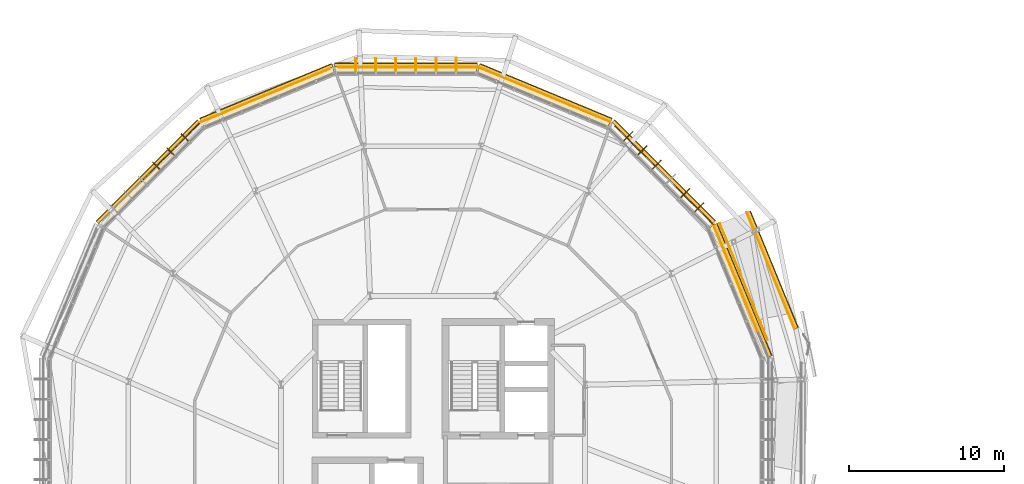
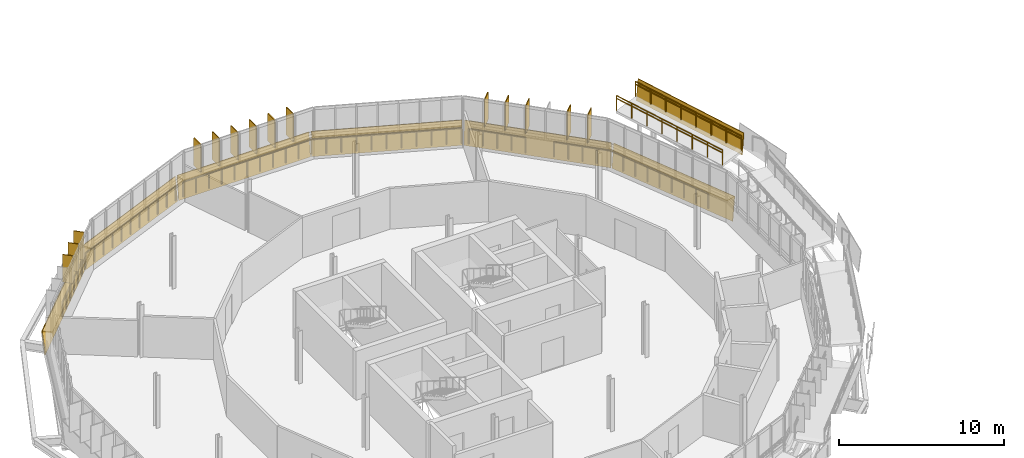
# One storey, part 36 of 38: 30 railings, 14 shading devices, 12 coverings.
"""IFC4 building model written with IfcOpenShell, lengths in metres."""

from ifc_helpers import new_model, si_unit, derived_unit, direction, frame, origin, origin_2d, place, context, subcontext, project, spatial, polyline, rectangle, circle, outline, extrude, material, layer, layer_set, type_object, element, save


model = new_model("IFC4")

# Units and contexts
model_context = context("Model", 3, precision=1e-05, world=origin(), true_north=direction((0.0, 1.0)))
body_context = subcontext(model_context, "Body", "Model", "MODEL_VIEW")
ifc_project = project(units=[si_unit("LENGTHUNIT", "METRE"), si_unit("AREAUNIT", "SQUARE_METRE"), si_unit("VOLUMEUNIT", "CUBIC_METRE"), si_unit("PLANEANGLEUNIT", "RADIAN"), si_unit("MASSUNIT", "GRAM", prefix="KILO"), derived_unit("THERMALTRANSMITTANCEUNIT", [(si_unit("MASSUNIT", "GRAM", prefix="KILO"), 1), (si_unit("TIMEUNIT", "SECOND"), -3), (si_unit("THERMODYNAMICTEMPERATUREUNIT", "KELVIN"), -1)])], contexts=[model_context])

# Site, building, storey
site_placement = place(None, origin())
site = spatial("IfcSite", under=ifc_project, at=site_placement, CompositionType="ELEMENT")
building_placement = place(site_placement, origin())
building = spatial("IfcBuilding", under=site, at=building_placement, Name="Makaiwela Harbour Ferry Terminal", CompositionType="ELEMENT")
storey_placement = place(building_placement, frame((0.0, 0.0, 17.699951171875)))
storey = spatial("IfcBuildingStorey", under=building, at=storey_placement, Name="L04", CompositionType="ELEMENT", Elevation=17.699951171875)

# Coverings
ifc_material_1 = material(Name="White glazed marine ceramic rainscreen tile", Category="masonry")
ifc_layer_1 = layer(ifc_material_1, 0.054931640625)
ifc_layer_set_1 = layer_set([ifc_layer_1], Name="White glazed marine ceramic rainscreen tile")
covering_type = type_object("IfcCoveringType", Name="ENV-CLD-CERAMIC", PredefinedType="CLADDING", material=ifc_layer_set_1)
covering_1_placement = place(storey_placement, frame((59.424560546875, 73.458984375, -0.219970703125), z_axis=(-0.918361147937, -0.380386118647, 0.109175101102), x_axis=(-0.382673536857, 0.923883631303, 0.0)))
element("IfcCovering", 1, at=covering_1_placement, inside=storey, type_object=covering_type, Name="Ceramic Spandrel Facet CLD-0095", PredefinedType="CLADDING", context=body_context, shape_type="SweptSolid", body=[
    extrude(outline(polyline([(0.0, 0.0), (9.225925594767027, 0.0), (9.22604574179916, -1.7504535114288637), (0.00012014703213264477, -1.7504535114288637), (0.0, 0.0)])), origin(), (0.0, 0.0, -1.0), 0.054931640625),
])
covering_2_placement = place(storey_placement, frame((0.0, 0.0, 1.47998046875)))
element("IfcCovering", 2, at=covering_2_placement, inside=storey, type_object=covering_type, Name="Ceramic Ring Sill Cap CLD-0096", PredefinedType="CLADDING", context=body_context, shape_type="SweptSolid", body=[
    extrude(outline(polyline([(59.60107421875, 73.5322265625), (56.070556640625, 82.055908203125), (55.517822265625, 81.74267578125), (58.989013671875, 73.36279296875), (59.60107421875, 73.5322265625)])), origin(), (0.0, 0.0, 1.0), 0.05517578125),
])
covering_3_placement = place(storey_placement, frame((55.850830078125, 82.04736328125, -0.219970703125), z_axis=(-0.702880103267, -0.702880103267, 0.109174726297), x_axis=(-0.707106781187, 0.707106781187, 0.0)))
element("IfcCovering", 3, at=covering_3_placement, inside=storey, type_object=covering_type, Name="Ceramic Spandrel Facet CLD-0097", PredefinedType="CLADDING", context=body_context, shape_type="SweptSolid", body=[
    extrude(outline(polyline([(0.0, 0.0), (9.225533785793237, 0.0), (9.225706419284737, -1.7504534389374788), (-0.00017263349150062335, -1.7504534389374788), (0.0, 0.0)])), origin(), (0.0, 0.0, -1.0), 0.054931640625),
])
covering_4_placement = place(storey_placement, frame((49.2626953125, 88.614013671875, -0.219970703125), z_axis=(-0.38039187671, -0.918361897216, 0.109148732814), x_axis=(-0.923881716783, 0.382678159024, -5.49351e-07)))
element("IfcCovering", 4, at=covering_4_placement, inside=storey, type_object=covering_type, Name="Ceramic Spandrel Facet CLD-0099", PredefinedType="CLADDING", context=body_context, shape_type="SweptSolid", body=[
    extrude(outline(polyline([(0.0, 0.0), (9.225925594650173, 0.0), (9.225805447851746, -1.7504535108129913), (0.00010541026133478123, -1.750443313466402), (0.0, 0.0)])), origin(), (0.0, 0.0, -1.0), 0.054931640625),
])
covering_5_placement = place(storey_placement, frame((0.0, 0.0, 1.47998046875)))
element("IfcCovering", 5, at=covering_5_placement, inside=storey, type_object=covering_type, Name="Ceramic Ring Sill Cap CLD-0100", PredefinedType="CLADDING", context=body_context, shape_type="SweptSolid", body=[
    extrude(outline(polyline([(49.335693359375, 88.79052734375), (40.812255859375, 92.321044921875), (40.642822265625, 91.708984375), (49.022705078125, 88.23779296875), (49.335693359375, 88.79052734375)])), origin(), (0.0, 0.0, 1.0), 0.05517578125),
])
covering_6_placement = place(storey_placement, frame((40.662841796875, 92.15966796875, -0.219970703125), z_axis=(0.0, -0.99403418163, 0.109068995375), x_axis=(-1.0, 0.0, 0.0)))
element("IfcCovering", 6, at=covering_6_placement, inside=storey, type_object=covering_type, Name="Ceramic Spandrel Facet CLD-0101", PredefinedType="CLADDING", context=body_context, shape_type="SweptSolid", body=[
    extrude(outline(polyline([(0.0, 0.0), (9.225830078125, 0.0), (9.225830078125, -1.7504329997209243), (0.0, -1.7504329997209243), (0.0, 0.0)])), origin(), (0.0, 0.0, -1.0), 0.054931640625),
])
covering_7_placement = place(storey_placement, frame((0.0, 0.0, 1.47998046875)))
element("IfcCovering", 7, at=covering_7_placement, inside=storey, type_object=covering_type, Name="Ceramic Ring Sill Cap CLD-0102", PredefinedType="CLADDING", context=body_context, shape_type="SweptSolid", body=[
    extrude(outline(polyline([(40.662841796875, 92.3505859375), (31.43701171875, 92.3505859375), (31.514892578125, 91.720458984375), (40.585205078125, 91.720458984375), (40.662841796875, 92.3505859375)])), origin(), (0.0, 0.0, 1.0), 0.05517578125),
])
covering_8_placement = place(storey_placement, frame((31.36083984375, 92.14453125, -0.219970703125), z_axis=(0.38039187671, -0.918361897216, 0.109148732814), x_axis=(-0.923881670615, -0.382678270485, -5.49365e-07)))
element("IfcCovering", 8, at=covering_8_placement, inside=storey, type_object=covering_type, Name="Ceramic Spandrel Facet CLD-0103", PredefinedType="CLADDING", context=body_context, shape_type="SweptSolid", body=[
    extrude(outline(polyline([(0.0, 0.0), (9.225700037596049, -5.551115123125783e-17), (9.225818249583991, -1.7504535109447228), (-0.00010734506054557062, -1.7504433133488209), (0.0, 0.0)])), origin(), (0.0, 0.0, -1.0), 0.054931640625),
])
covering_9_placement = place(storey_placement, frame((0.0, 0.0, 1.47998046875)))
element("IfcCovering", 9, at=covering_9_placement, inside=storey, type_object=covering_type, Name="Ceramic Ring Sill Cap CLD-0104", PredefinedType="CLADDING", context=body_context, shape_type="SweptSolid", body=[
    extrude(outline(polyline([(31.287841796875, 92.321044921875), (22.76416015625, 88.79052734375), (23.077392578125, 88.23779296875), (31.457275390625, 91.708984375), (31.287841796875, 92.321044921875)])), origin(), (0.0, 0.0, 1.0), 0.05517578125),
])
covering_10_placement = place(storey_placement, frame((22.772705078125, 88.57080078125, -0.219970703125), z_axis=(0.70287731015, -0.702890462548, 0.109126003021), x_axis=(-0.707113475648, -0.707100086661, 1.014907e-06)))
element("IfcCovering", 10, at=covering_10_placement, inside=storey, type_object=covering_type, Name="Ceramic Spandrel Facet CLD-0105", PredefinedType="CLADDING", context=body_context, shape_type="SweptSolid", body=[
    extrude(outline(polyline([(0.0, 0.0), (9.225706420500924, 0.0), (9.2257099940734, -1.750434598028112), (-0.0001690582846171151, -1.7504534371835405), (0.0, 0.0)])), origin(), (0.0, 0.0, -1.0), 0.054931640625),
])
covering_11_placement = place(storey_placement, frame((0.0, 0.0, 1.47998046875)))
element("IfcCovering", 11, at=covering_11_placement, inside=storey, type_object=covering_type, Name="Ceramic Ring Sill Cap CLD-0106", PredefinedType="CLADDING", context=body_context, shape_type="SweptSolid", body=[
    extrude(outline(polyline([(22.6376953125, 88.7060546875), (16.114013671875, 82.182373046875), (16.61474609375, 81.79150390625), (23.028564453125, 88.205078125), (22.6376953125, 88.7060546875)])), origin(), (0.0, 0.0, 1.0), 0.05517578125),
])
covering_12_placement = place(storey_placement, frame((61.138916015625, 75.274169921875, 3.0029296875), z_axis=(-0.916758936034, -0.384026225115, 0.109895002732), x_axis=(-0.378463523243, 0.923078835912, 0.06848959239)))
element("IfcCovering", 12, at=covering_12_placement, inside=storey, type_object=covering_type, Name="Coiled Ramp Ceramic Fascia CLD-R0073", PredefinedType="CLADDING", context=body_context, shape_type="SweptSolid", body=[
    extrude(outline(polyline([(0.0, 0.0), (8.134504627743956, 0.0), (8.238571647785111, -1.5257376825109337), (0.10406702004115523, -1.5257376825109337), (0.0, 0.0)])), origin(), (0.0, 0.0, -1.0), 0.054931640625),
])

# Shading devices
ifc_material_2 = material(Name="Marine anodised aluminium 6063-T6", Category="aluminium")
ifc_layer_2 = layer(ifc_material_2, 0.054931640625)
ifc_layer_set_2 = layer_set([ifc_layer_2], Name="Marine anodised aluminium 6063-T6")
shading_device_type_1 = type_object("IfcShadingDeviceType", Name="ENV-FIN-650", PredefinedType="USERDEFINED", material=ifc_layer_set_2)
for number, where, z_axis, x_axis, name in (
    (13, (21.802490234375, 87.5986328125, 1.60400390625), (0.0, 0.0, 1.0), (-0.707106781187, 0.707106781187, 0.0), "Vertical Solar Fin SFN-0120"),
    (14, (20.88623046875, 86.682373046875, 1.60400390625), (0.0, 0.0, 1.0), (-0.707106781187, 0.707106781187, 0.0), "Vertical Solar Fin SFN-0121"),
    (15, (19.97021484375, 85.76611328125, 1.60400390625), (0.0, 0.0, 1.0), (-0.707106781187, 0.707106781187, 0.0), "Vertical Solar Fin SFN-0122"),
):
    element("IfcShadingDevice", number, at=place(storey_placement, frame(where, z_axis=z_axis, x_axis=x_axis)), inside=storey, type_object=shading_device_type_1, Name=name, ObjectType="SOLAR FIN", PredefinedType="USERDEFINED", context=body_context, shape_type="SweptSolid", body=[
        extrude(rectangle(XDim=0.64990234375, YDim=0.054931640625, at=origin_2d()), origin(), (0.0, 0.0, 1.0), 2.0400390625),
    ])
ifc_material_3 = material(Name="Thermally modified Accoya timber and anodised aluminium", Category="wood")
ifc_layer_3 = layer(ifc_material_3, 0.06005859375)
ifc_layer_set_3 = layer_set([ifc_layer_3], Name="Thermally modified Accoya timber and anodised aluminium")
shading_device_type_2 = type_object("IfcShadingDeviceType", Name="ENV-FIN-850", PredefinedType="USERDEFINED", material=ifc_layer_set_3)
for number, where, z_axis, x_axis, name in (
    (16, (54.949462890625, 83.088134765625, 1.60400390625), (0.0, 0.0, 1.0), (0.707106781187, 0.707106781187, 0.0), "Vertical Solar Fin SFN-0108"),
    (17, (54.033203125, 84.00439453125, 1.60400390625), (0.0, 0.0, 1.0), (0.707106781187, 0.707106781187, 0.0), "Vertical Solar Fin SFN-0109"),
    (18, (52.20068359375, 85.8369140625, 1.60400390625), (0.0, 0.0, 1.0), (0.707106781187, 0.707106781187, 0.0), "Vertical Solar Fin SFN-0111"),
    (19, (51.284423828125, 86.753173828125, 1.60400390625), (0.0, 0.0, 1.0), (0.707106781187, 0.707106781187, 0.0), "Vertical Solar Fin SFN-0112"),
    (20, (50.3681640625, 87.66943359375, 1.60400390625), (0.0, 0.0, 1.0), (0.707106781187, 0.707106781187, 0.0), "Vertical Solar Fin SFN-0113"),
    (21, (39.289306640625, 92.25830078125, 1.60400390625), (0.0, 0.0, 1.0), (0.0, 1.0, 0.0), "Vertical Solar Fin SFN-0114"),
    (22, (37.99365234375, 92.25830078125, 1.60400390625), (0.0, 0.0, 1.0), (0.0, 1.0, 0.0), "Vertical Solar Fin SFN-0115"),
    (23, (36.697998046875, 92.25830078125, 1.60400390625), (0.0, 0.0, 1.0), (0.0, 1.0, 0.0), "Vertical Solar Fin SFN-0116"),
    (24, (35.402099609375, 92.25830078125, 1.60400390625), (0.0, 0.0, 1.0), (0.0, 1.0, 0.0), "Vertical Solar Fin SFN-0117"),
    (25, (34.1064453125, 92.25830078125, 1.60400390625), (0.0, 0.0, 1.0), (0.0, 1.0, 0.0), "Vertical Solar Fin SFN-0118"),
    (26, (32.810546875, 92.25830078125, 1.60400390625), (0.0, 0.0, 1.0), (0.0, 1.0, 0.0), "Vertical Solar Fin SFN-0119"),
):
    element("IfcShadingDevice", number, at=place(storey_placement, frame(where, z_axis=z_axis, x_axis=x_axis)), inside=storey, type_object=shading_device_type_2, Name=name, ObjectType="SOLAR FIN", PredefinedType="USERDEFINED", context=body_context, shape_type="SweptSolid", body=[
        extrude(rectangle(XDim=0.85009765625, YDim=0.06005859375, at=origin_2d()), origin(), (0.0, 0.0, 1.0), 2.0400390625),
    ])

# Railings
ifc_material_4 = material(Name="Marine grade 316L brushed stainless steel", Category="steel")
railing_type_1 = type_object("IfcRailingType", Name="INT-RL-GRD110", PredefinedType="GUARDRAIL", material=ifc_material_4)
for number, where, name in (
    (27, (59.3466796875, 74.539306640625, 3.343017578125), "Ramp guardrail RL-0241"),
    (28, (61.086181640625, 75.25244140625, 3.343017578125), "Ramp guardrail RL-0243"),
):
    element("IfcRailing", number, at=place(storey_placement, frame(where)), inside=storey, type_object=railing_type_1, Name=name, PredefinedType="GUARDRAIL", context=body_context, shape_type="SweptSolid", body=[
        extrude(circle(Radius=0.02392578125, at=origin_2d()), frame((0.0, 0.0, 1.09619140625), z_axis=(-0.378463523243, 0.923078835912, 0.06848959239), x_axis=(-0.925251482837, -0.379354311308, 0.0)), (0.0, 0.0, 1.0), 8.134521484375),
        extrude(circle(Radius=0.02099609375, at=origin_2d()), origin(), (0.0, 0.0, 1.0), 1.072021484375),
        extrude(circle(Radius=0.02099609375, at=origin_2d()), frame((-0.439697265625, 1.07275390625, 0.07958984375)), (0.0, 0.0, 1.0), 1.072021484375),
        extrude(circle(Radius=0.02099609375, at=origin_2d()), frame((-0.879638671875, 2.145263671875, 0.1591796875)), (0.0, 0.0, 1.0), 1.072021484375),
        extrude(circle(Radius=0.02099609375, at=origin_2d()), frame((-1.3193359375, 3.218017578125, 0.23876953125)), (0.0, 0.0, 1.0), 1.072021484375),
        extrude(circle(Radius=0.02099609375, at=origin_2d()), frame((-1.75927734375, 4.290771484375, 0.318359375)), (0.0, 0.0, 1.0), 1.072021484375),
        extrude(circle(Radius=0.02099609375, at=origin_2d()), frame((-2.198974609375, 5.363525390625, 0.39794921875)), (0.0, 0.0, 1.0), 1.072021484375),
        extrude(circle(Radius=0.02099609375, at=origin_2d()), frame((-2.638916015625, 6.43603515625, 0.4775390625)), (0.0, 0.0, 1.0), 1.072021484375),
        extrude(circle(Radius=0.02099609375, at=origin_2d()), frame((-3.07861328125, 7.5087890625, 0.55712890625)), (0.0, 0.0, 1.0), 1.072021484375),
    ])
railing_1_placement = place(storey_placement, frame((19.024169921875, 84.761474609375, 0.0)))
element("IfcRailing", 29, at=railing_1_placement, inside=storey, type_object=railing_type_1, Name="Deck edge guardrail RL-0769", PredefinedType="GUARDRAIL", context=body_context, shape_type="SweptSolid", body=[
    extrude(circle(Radius=0.02392578125, at=origin_2d()), frame((0.0, 0.0, 1.09619140625), z_axis=(0.707106781187, 0.707106781187, 0.0), x_axis=(-0.707106781187, 0.707106781187, 0.0)), (0.0, 0.0, 1.0), 1.79150390625),
    extrude(circle(Radius=0.02099609375, at=origin_2d()), origin(), (0.0, 0.0, 1.0), 1.072021484375),
    extrude(circle(Radius=0.02099609375, at=origin_2d()), frame((0.63330078125, 0.63330078125, 0.0)), (0.0, 0.0, 1.0), 1.072021484375),
    extrude(circle(Radius=0.02099609375, at=origin_2d()), frame((1.266845703125, 1.266845703125, 0.0)), (0.0, 0.0, 1.0), 1.072021484375),
])
for number, where, name in (
    (30, (20.291015625, 86.0283203125, 0.0), "Deck edge guardrail RL-0770"),
    (31, (21.55810546875, 87.29541015625, 0.0), "Deck edge guardrail RL-0771"),
):
    element("IfcRailing", number, at=place(storey_placement, frame(where)), inside=storey, type_object=railing_type_1, Name=name, PredefinedType="GUARDRAIL", context=body_context, shape_type="SweptSolid", body=[
        extrude(circle(Radius=0.02392578125, at=origin_2d()), frame((0.0, 0.0, 1.09619140625), z_axis=(0.707106781187, 0.707106781187, 0.0), x_axis=(-0.707106781187, 0.707106781187, 0.0)), (0.0, 0.0, 1.0), 1.7919921875),
        extrude(circle(Radius=0.02099609375, at=origin_2d()), origin(), (0.0, 0.0, 1.0), 1.072021484375),
        extrude(circle(Radius=0.02099609375, at=origin_2d()), frame((0.633544921875, 0.633544921875, 0.0)), (0.0, 0.0, 1.0), 1.072021484375),
        extrude(circle(Radius=0.02099609375, at=origin_2d()), frame((1.26708984375, 1.26708984375, 0.0)), (0.0, 0.0, 1.0), 1.072021484375),
    ])
railing_2_placement = place(storey_placement, frame((22.8251953125, 88.5625, 0.0)))
element("IfcRailing", 32, at=railing_2_placement, inside=storey, type_object=railing_type_1, Name="Deck edge guardrail RL-0772", PredefinedType="GUARDRAIL", context=body_context, shape_type="SweptSolid", body=[
    extrude(circle(Radius=0.02392578125, at=origin_2d()), frame((0.0, 0.0, 1.09619140625), z_axis=(0.923874484475, 0.382695619175, 0.0), x_axis=(-0.382695619175, 0.923874484475, 0.0)), (0.0, 0.0, 1.0), 1.7978515625),
    extrude(circle(Radius=0.02099609375, at=origin_2d()), origin(), (0.0, 0.0, 1.0), 1.072021484375),
    extrude(circle(Radius=0.02099609375, at=origin_2d()), frame((0.83056640625, 0.343994140625, 0.0)), (0.0, 0.0, 1.0), 1.072021484375),
    extrude(circle(Radius=0.02099609375, at=origin_2d()), frame((1.660888671875, 0.68798828125, 0.0)), (0.0, 0.0, 1.0), 1.072021484375),
])
railing_3_placement = place(storey_placement, frame((24.486083984375, 89.25048828125, 0.0)))
element("IfcRailing", 33, at=railing_3_placement, inside=storey, type_object=railing_type_1, Name="Deck edge guardrail RL-0773", PredefinedType="GUARDRAIL", context=body_context, shape_type="SweptSolid", body=[
    extrude(circle(Radius=0.02392578125, at=origin_2d()), frame((0.0, 0.0, 1.09619140625), z_axis=(0.923902612896, 0.382627706634, 0.0), x_axis=(-0.382627706634, 0.923902612896, 0.0)), (0.0, 0.0, 1.0), 1.79736328125),
    extrude(circle(Radius=0.02099609375, at=origin_2d()), origin(), (0.0, 0.0, 1.0), 1.072021484375),
    extrude(circle(Radius=0.02099609375, at=origin_2d()), frame((0.830322265625, 0.34375, 0.0)), (0.0, 0.0, 1.0), 1.072021484375),
    extrude(circle(Radius=0.02099609375, at=origin_2d()), frame((1.66064453125, 0.687744140625, 0.0)), (0.0, 0.0, 1.0), 1.072021484375),
])
for number, where, name in (
    (34, (26.146728515625, 89.938232421875, 0.0), "Deck edge guardrail RL-0774"),
    (35, (27.8076171875, 90.626220703125, 0.0), "Deck edge guardrail RL-0775"),
    (36, (29.468505859375, 91.314208984375, 0.0), "Deck edge guardrail RL-0776"),
):
    element("IfcRailing", number, at=place(storey_placement, frame(where)), inside=storey, type_object=railing_type_1, Name=name, PredefinedType="GUARDRAIL", context=body_context, shape_type="SweptSolid", body=[
        extrude(circle(Radius=0.02392578125, at=origin_2d()), frame((0.0, 0.0, 1.09619140625), z_axis=(0.923874484475, 0.382695619175, 0.0), x_axis=(-0.382695619175, 0.923874484475, 0.0)), (0.0, 0.0, 1.0), 1.7978515625),
        extrude(circle(Radius=0.02099609375, at=origin_2d()), origin(), (0.0, 0.0, 1.0), 1.072021484375),
        extrude(circle(Radius=0.02099609375, at=origin_2d()), frame((0.83056640625, 0.343994140625, 0.0)), (0.0, 0.0, 1.0), 1.072021484375),
        extrude(circle(Radius=0.02099609375, at=origin_2d()), frame((1.660888671875, 0.68798828125, 0.0)), (0.0, 0.0, 1.0), 1.072021484375),
    ])
railing_4_placement = place(storey_placement, frame((31.726318359375, 92.11669921875, 0.0)))
element("IfcRailing", 37, at=railing_4_placement, inside=storey, type_object=railing_type_1, Name="Deck edge guardrail RL-0777", PredefinedType="GUARDRAIL", context=body_context, shape_type="SweptSolid", body=[
    extrude(circle(Radius=0.02392578125, at=origin_2d()), frame((0.0, 0.0, 1.09619140625), z_axis=(1.0, 0.0, 0.0), x_axis=(0.0, 1.0, 0.0)), (0.0, 0.0, 1.0), 1.79345703125),
    extrude(circle(Radius=0.02099609375, at=origin_2d()), origin(), (0.0, 0.0, 1.0), 1.072021484375),
    extrude(circle(Radius=0.02099609375, at=origin_2d()), frame((0.896728515625, 0.0, 0.0)), (0.0, 0.0, 1.0), 1.072021484375),
    extrude(circle(Radius=0.02099609375, at=origin_2d()), frame((1.79345703125, 0.0, 0.0)), (0.0, 0.0, 1.0), 1.072021484375),
])
railing_5_placement = place(storey_placement, frame((33.519775390625, 92.11669921875, 0.0)))
element("IfcRailing", 38, at=railing_5_placement, inside=storey, type_object=railing_type_1, Name="Deck edge guardrail RL-0778", PredefinedType="GUARDRAIL", context=body_context, shape_type="SweptSolid", body=[
    extrude(circle(Radius=0.02392578125, at=origin_2d()), frame((0.0, 0.0, 1.09619140625), z_axis=(1.0, 0.0, 0.0), x_axis=(0.0, 1.0, 0.0)), (0.0, 0.0, 1.0), 1.793701171875),
    extrude(circle(Radius=0.02099609375, at=origin_2d()), origin(), (0.0, 0.0, 1.0), 1.072021484375),
    extrude(circle(Radius=0.02099609375, at=origin_2d()), frame((0.89697265625, 0.0, 0.0)), (0.0, 0.0, 1.0), 1.072021484375),
    extrude(circle(Radius=0.02099609375, at=origin_2d()), frame((1.793701171875, 0.0, 0.0)), (0.0, 0.0, 1.0), 1.072021484375),
])
for number, where, name in (
    (39, (35.3134765625, 92.11669921875, 0.0), "Deck edge guardrail RL-0779"),
    (40, (37.10693359375, 92.11669921875, 0.0), "Deck edge guardrail RL-0780"),
    (41, (38.900390625, 92.11669921875, 0.0), "Deck edge guardrail RL-0781"),
):
    element("IfcRailing", number, at=place(storey_placement, frame(where)), inside=storey, type_object=railing_type_1, Name=name, PredefinedType="GUARDRAIL", context=body_context, shape_type="SweptSolid", body=[
        extrude(circle(Radius=0.02392578125, at=origin_2d()), frame((0.0, 0.0, 1.09619140625), z_axis=(1.0, 0.0, 0.0), x_axis=(0.0, 1.0, 0.0)), (0.0, 0.0, 1.0), 1.79345703125),
        extrude(circle(Radius=0.02099609375, at=origin_2d()), origin(), (0.0, 0.0, 1.0), 1.072021484375),
        extrude(circle(Radius=0.02099609375, at=origin_2d()), frame((0.896728515625, 0.0, 0.0)), (0.0, 0.0, 1.0), 1.072021484375),
        extrude(circle(Radius=0.02099609375, at=origin_2d()), frame((1.79345703125, 0.0, 0.0)), (0.0, 0.0, 1.0), 1.072021484375),
    ])
railing_6_placement = place(storey_placement, frame((40.69384765625, 92.11669921875, 0.0)))
element("IfcRailing", 42, at=railing_6_placement, inside=storey, type_object=railing_type_1, Name="Deck edge guardrail RL-0782", PredefinedType="GUARDRAIL", context=body_context, shape_type="SweptSolid", body=[
    extrude(circle(Radius=0.02392578125, at=origin_2d()), frame((0.0, 0.0, 1.09619140625), z_axis=(0.923900251408, -0.382633408694, 0.0), x_axis=(0.382633408694, 0.923900251408, 0.0)), (0.0, 0.0, 1.0), 1.837646484375),
    extrude(circle(Radius=0.02099609375, at=origin_2d()), origin(), (0.0, 0.0, 1.0), 1.072021484375),
    extrude(circle(Radius=0.02099609375, at=origin_2d()), frame((0.848876953125, -0.3515625, 0.0)), (0.0, 0.0, 1.0), 1.072021484375),
    extrude(circle(Radius=0.02099609375, at=origin_2d()), frame((1.69775390625, -0.703125, 0.0)), (0.0, 0.0, 1.0), 1.072021484375),
])
railing_7_placement = place(storey_placement, frame((42.3916015625, 91.41357421875, 0.0)))
element("IfcRailing", 43, at=railing_7_placement, inside=storey, type_object=railing_type_1, Name="Deck edge guardrail RL-0783", PredefinedType="GUARDRAIL", context=body_context, shape_type="SweptSolid", body=[
    extrude(circle(Radius=0.02392578125, at=origin_2d()), frame((0.0, 0.0, 1.09619140625), z_axis=(0.923880796188, -0.382680381565, 0.0), x_axis=(0.382680381565, 0.923880796188, 0.0)), (0.0, 0.0, 1.0), 1.83740234375),
    extrude(circle(Radius=0.02099609375, at=origin_2d()), origin(), (0.0, 0.0, 1.0), 1.072021484375),
    extrude(circle(Radius=0.02099609375, at=origin_2d()), frame((0.8486328125, -0.3515625, 0.0)), (0.0, 0.0, 1.0), 1.072021484375),
    extrude(circle(Radius=0.02099609375, at=origin_2d()), frame((1.697509765625, -0.703125, 0.0)), (0.0, 0.0, 1.0), 1.072021484375),
])
railing_8_placement = place(storey_placement, frame((44.089111328125, 90.71044921875, 0.0)))
element("IfcRailing", 44, at=railing_8_placement, inside=storey, type_object=railing_type_1, Name="Deck edge guardrail RL-0784", PredefinedType="GUARDRAIL", context=body_context, shape_type="SweptSolid", body=[
    extrude(circle(Radius=0.02392578125, at=origin_2d()), frame((0.0, 0.0, 1.09619140625), z_axis=(0.923853279236, -0.38274680723, 0.0), x_axis=(0.38274680723, 0.923853279236, 0.0)), (0.0, 0.0, 1.0), 1.837646484375),
    extrude(circle(Radius=0.02099609375, at=origin_2d()), origin(), (0.0, 0.0, 1.0), 1.072021484375),
    extrude(circle(Radius=0.02099609375, at=origin_2d()), frame((0.848876953125, -0.3515625, 0.0)), (0.0, 0.0, 1.0), 1.072021484375),
    extrude(circle(Radius=0.02099609375, at=origin_2d()), frame((1.69775390625, -0.703369140625, 0.0)), (0.0, 0.0, 1.0), 1.072021484375),
])
railing_9_placement = place(storey_placement, frame((45.786865234375, 90.007080078125, 0.0)))
element("IfcRailing", 45, at=railing_9_placement, inside=storey, type_object=railing_type_1, Name="Deck edge guardrail RL-0785", PredefinedType="GUARDRAIL", context=body_context, shape_type="SweptSolid", body=[
    extrude(circle(Radius=0.02392578125, at=origin_2d()), frame((0.0, 0.0, 1.09619140625), z_axis=(0.923900251408, -0.382633408694, 0.0), x_axis=(0.382633408694, 0.923900251408, 0.0)), (0.0, 0.0, 1.0), 1.837646484375),
    extrude(circle(Radius=0.02099609375, at=origin_2d()), origin(), (0.0, 0.0, 1.0), 1.072021484375),
    extrude(circle(Radius=0.02099609375, at=origin_2d()), frame((0.848876953125, -0.3515625, 0.0)), (0.0, 0.0, 1.0), 1.072021484375),
    extrude(circle(Radius=0.02099609375, at=origin_2d()), frame((1.69775390625, -0.703125, 0.0)), (0.0, 0.0, 1.0), 1.072021484375),
])
railing_10_placement = place(storey_placement, frame((47.484619140625, 89.303955078125, 0.0)))
element("IfcRailing", 46, at=railing_10_placement, inside=storey, type_object=railing_type_1, Name="Deck edge guardrail RL-0786", PredefinedType="GUARDRAIL", context=body_context, shape_type="SweptSolid", body=[
    extrude(circle(Radius=0.02392578125, at=origin_2d()), frame((0.0, 0.0, 1.09619140625), z_axis=(0.923880796188, -0.382680381565, 0.0), x_axis=(0.382680381565, 0.923880796188, 0.0)), (0.0, 0.0, 1.0), 1.83740234375),
    extrude(circle(Radius=0.02099609375, at=origin_2d()), origin(), (0.0, 0.0, 1.0), 1.072021484375),
    extrude(circle(Radius=0.02099609375, at=origin_2d()), frame((0.8486328125, -0.3515625, 0.0)), (0.0, 0.0, 1.0), 1.072021484375),
    extrude(circle(Radius=0.02099609375, at=origin_2d()), frame((1.697509765625, -0.703125, 0.0)), (0.0, 0.0, 1.0), 1.072021484375),
])
railing_11_placement = place(storey_placement, frame((49.523193359375, 88.314208984375, 0.0)))
element("IfcRailing", 47, at=railing_11_placement, inside=storey, type_object=railing_type_1, Name="Deck edge guardrail RL-0787", PredefinedType="GUARDRAIL", context=body_context, shape_type="SweptSolid", body=[
    extrude(circle(Radius=0.02392578125, at=origin_2d()), frame((0.0, 0.0, 1.09619140625), z_axis=(0.707106781187, -0.707106781187, 0.0), x_axis=(0.707106781187, 0.707106781187, 0.0)), (0.0, 0.0, 1.0), 1.787353515625),
    extrude(circle(Radius=0.02099609375, at=origin_2d()), origin(), (0.0, 0.0, 1.0), 1.072021484375),
    extrude(circle(Radius=0.02099609375, at=origin_2d()), frame((0.6318359375, -0.6318359375, 0.0)), (0.0, 0.0, 1.0), 1.072021484375),
    extrude(circle(Radius=0.02099609375, at=origin_2d()), frame((1.263916015625, -1.263916015625, 0.0)), (0.0, 0.0, 1.0), 1.072021484375),
])
railing_12_placement = place(storey_placement, frame((50.787109375, 87.05029296875, 0.0)))
element("IfcRailing", 48, at=railing_12_placement, inside=storey, type_object=railing_type_1, Name="Deck edge guardrail RL-0788", PredefinedType="GUARDRAIL", context=body_context, shape_type="SweptSolid", body=[
    extrude(circle(Radius=0.02392578125, at=origin_2d()), frame((0.0, 0.0, 1.09619140625), z_axis=(0.70703847819, -0.707175077586, 0.0), x_axis=(0.707175077586, 0.70703847819, 0.0)), (0.0, 0.0, 1.0), 1.787353515625),
    extrude(circle(Radius=0.02099609375, at=origin_2d()), origin(), (0.0, 0.0, 1.0), 1.072021484375),
    extrude(circle(Radius=0.02099609375, at=origin_2d()), frame((0.6318359375, -0.6318359375, 0.0)), (0.0, 0.0, 1.0), 1.072021484375),
    extrude(circle(Radius=0.02099609375, at=origin_2d()), frame((1.263671875, -1.263916015625, 0.0)), (0.0, 0.0, 1.0), 1.072021484375),
])
for number, where, name in (
    (49, (53.314697265625, 84.522705078125, 0.0), "Deck edge guardrail RL-0790"),
    (50, (54.57861328125, 83.2587890625, 0.0), "Deck edge guardrail RL-0791"),
):
    element("IfcRailing", number, at=place(storey_placement, frame(where)), inside=storey, type_object=railing_type_1, Name=name, PredefinedType="GUARDRAIL", context=body_context, shape_type="SweptSolid", body=[
        extrude(circle(Radius=0.02392578125, at=origin_2d()), frame((0.0, 0.0, 1.09619140625), z_axis=(0.707106781187, -0.707106781187, 0.0), x_axis=(0.707106781187, 0.707106781187, 0.0)), (0.0, 0.0, 1.0), 1.787353515625),
        extrude(circle(Radius=0.02099609375, at=origin_2d()), origin(), (0.0, 0.0, 1.0), 1.072021484375),
        extrude(circle(Radius=0.02099609375, at=origin_2d()), frame((0.6318359375, -0.6318359375, 0.0)), (0.0, 0.0, 1.0), 1.072021484375),
        extrude(circle(Radius=0.02099609375, at=origin_2d()), frame((1.263916015625, -1.263916015625, 0.0)), (0.0, 0.0, 1.0), 1.072021484375),
    ])
railing_13_placement = place(storey_placement, frame((55.842529296875, 81.994873046875, 0.0)))
element("IfcRailing", 51, at=railing_13_placement, inside=storey, type_object=railing_type_1, Name="Deck edge guardrail RL-0792", PredefinedType="GUARDRAIL", context=body_context, shape_type="SweptSolid", body=[
    extrude(circle(Radius=0.02392578125, at=origin_2d()), frame((0.0, 0.0, 1.09619140625), z_axis=(0.382626535499, -0.923903097912, 0.0), x_axis=(0.923903097912, 0.382626535499, 0.0)), (0.0, 0.0, 1.0), 1.857421875),
    extrude(circle(Radius=0.02099609375, at=origin_2d()), origin(), (0.0, 0.0, 1.0), 1.072021484375),
    extrude(circle(Radius=0.02099609375, at=origin_2d()), frame((0.35546875, -0.85791015625, 0.0)), (0.0, 0.0, 1.0), 1.072021484375),
    extrude(circle(Radius=0.02099609375, at=origin_2d()), frame((0.710693359375, -1.716064453125, 0.0)), (0.0, 0.0, 1.0), 1.072021484375),
])
for number, where, name in (
    (52, (56.55322265625, 80.27880859375, 0.0), "Deck edge guardrail RL-0793"),
    (53, (57.26416015625, 78.5625, 0.0), "Deck edge guardrail RL-0794"),
):
    element("IfcRailing", number, at=place(storey_placement, frame(where)), inside=storey, type_object=railing_type_1, Name=name, PredefinedType="GUARDRAIL", context=body_context, shape_type="SweptSolid", body=[
        extrude(circle(Radius=0.02392578125, at=origin_2d()), frame((0.0, 0.0, 1.09619140625), z_axis=(0.382692255499, -0.9238758778, 0.0), x_axis=(0.9238758778, 0.382692255499, 0.0)), (0.0, 0.0, 1.0), 1.857666015625),
        extrude(circle(Radius=0.02099609375, at=origin_2d()), origin(), (0.0, 0.0, 1.0), 1.072021484375),
        extrude(circle(Radius=0.02099609375, at=origin_2d()), frame((0.35546875, -0.858154296875, 0.0)), (0.0, 0.0, 1.0), 1.072021484375),
        extrude(circle(Radius=0.02099609375, at=origin_2d()), frame((0.7109375, -1.71630859375, 0.0)), (0.0, 0.0, 1.0), 1.072021484375),
    ])
railing_14_placement = place(storey_placement, frame((57.97509765625, 76.84619140625, 0.0)))
element("IfcRailing", 54, at=railing_14_placement, inside=storey, type_object=railing_type_1, Name="Deck edge guardrail RL-0795", PredefinedType="GUARDRAIL", context=body_context, shape_type="SweptSolid", body=[
    extrude(circle(Radius=0.02392578125, at=origin_2d()), frame((0.0, 0.0, 1.09619140625), z_axis=(0.382626535499, -0.923903097912, 0.0), x_axis=(0.923903097912, 0.382626535499, 0.0)), (0.0, 0.0, 1.0), 1.857421875),
    extrude(circle(Radius=0.02099609375, at=origin_2d()), origin(), (0.0, 0.0, 1.0), 1.072021484375),
    extrude(circle(Radius=0.02099609375, at=origin_2d()), frame((0.35546875, -0.85791015625, 0.0)), (0.0, 0.0, 1.0), 1.072021484375),
    extrude(circle(Radius=0.02099609375, at=origin_2d()), frame((0.710693359375, -1.716064453125, 0.0)), (0.0, 0.0, 1.0), 1.072021484375),
])
railing_type_2 = type_object("IfcRailingType", Name="INT-RL-HND090", PredefinedType="HANDRAIL", material=ifc_material_4)
for number, where, name in (
    (55, (59.3466796875, 74.539306640625, 3.343017578125), "Ramp handrail RL-0242"),
    (56, (61.086181640625, 75.25244140625, 3.343017578125), "Ramp handrail RL-0244"),
):
    element("IfcRailing", number, at=place(storey_placement, frame(where)), inside=storey, type_object=railing_type_2, Name=name, PredefinedType="HANDRAIL", context=body_context, shape_type="SweptSolid", body=[
        extrude(circle(Radius=0.02392578125, at=origin_2d()), frame((0.0, 0.0, 0.89111328125), z_axis=(-0.378463523243, 0.923078835912, 0.06848959239), x_axis=(-0.925251482837, -0.379354311308, 0.0)), (0.0, 0.0, 1.0), 8.134521484375),
        extrude(circle(Radius=0.02099609375, at=origin_2d()), origin(), (0.0, 0.0, 1.0), 0.866943359375),
        extrude(circle(Radius=0.02099609375, at=origin_2d()), frame((-0.439697265625, 1.07275390625, 0.07958984375)), (0.0, 0.0, 1.0), 0.866943359375),
        extrude(circle(Radius=0.02099609375, at=origin_2d()), frame((-0.879638671875, 2.145263671875, 0.1591796875)), (0.0, 0.0, 1.0), 0.866943359375),
        extrude(circle(Radius=0.02099609375, at=origin_2d()), frame((-1.3193359375, 3.218017578125, 0.23876953125)), (0.0, 0.0, 1.0), 0.866943359375),
        extrude(circle(Radius=0.02099609375, at=origin_2d()), frame((-1.75927734375, 4.290771484375, 0.318359375)), (0.0, 0.0, 1.0), 0.866943359375),
        extrude(circle(Radius=0.02099609375, at=origin_2d()), frame((-2.198974609375, 5.363525390625, 0.39794921875)), (0.0, 0.0, 1.0), 0.866943359375),
        extrude(circle(Radius=0.02099609375, at=origin_2d()), frame((-2.638916015625, 6.43603515625, 0.4775390625)), (0.0, 0.0, 1.0), 0.866943359375),
        extrude(circle(Radius=0.02099609375, at=origin_2d()), frame((-3.07861328125, 7.5087890625, 0.55712890625)), (0.0, 0.0, 1.0), 0.866943359375),
    ])

save(model, "model.ifc")
